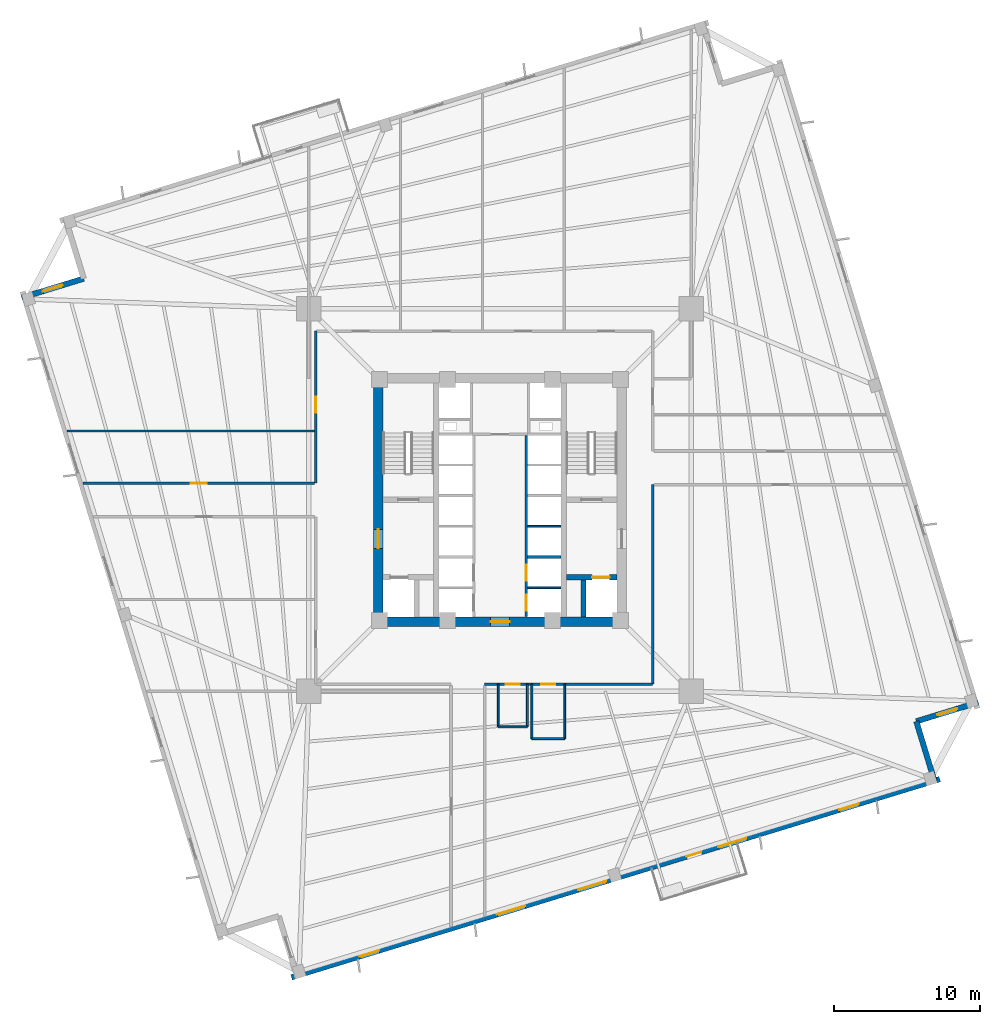
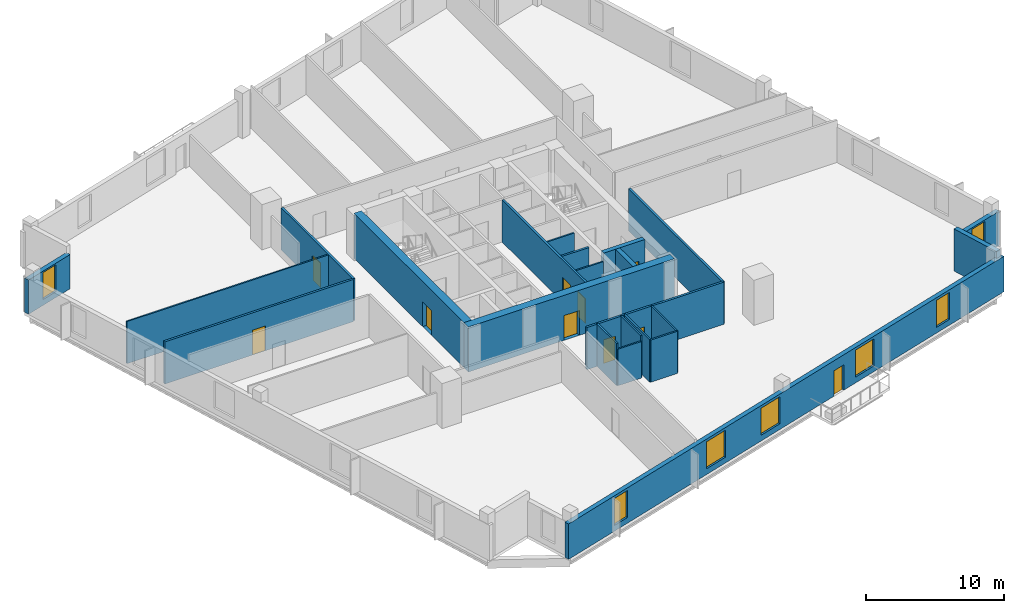
# One storey, part 3 of 8: 23 walls, 10 doors, 7 windows, 17 openings.
"""IFC4 building model written with IfcOpenShell, lengths in metres."""

from ifc_helpers import new_model, si_unit, direction, frame, frame_2d, origin, place, context, subcontext, project, spatial, rectangle, extrude, source, transform, mapped, material, layer, layer_set, type_object, element, fill, save


model = new_model("IFC4")

# Units and contexts
model_context = context("Model", 3, precision=1e-05, world=origin(), true_north=direction((0.0, 1.0)))
body_context = subcontext(model_context, "Body", "Model", "MODEL_VIEW")
ifc_project = project(units=[si_unit("LENGTHUNIT", "METRE"), si_unit("AREAUNIT", "SQUARE_METRE"), si_unit("VOLUMEUNIT", "CUBIC_METRE"), si_unit("PLANEANGLEUNIT", "RADIAN"), si_unit("MASSUNIT", "GRAM", prefix="KILO"), si_unit("THERMODYNAMICTEMPERATUREUNIT", "KELVIN")], contexts=[model_context])

# Site, building, storey
site_placement = place(None, origin())
site = spatial("IfcSite", under=ifc_project, at=site_placement, CompositionType="ELEMENT")
building_placement = place(site_placement, origin())
building = spatial("IfcBuilding", under=site, at=building_placement, Name="Kosmvard Interchange Tower", CompositionType="ELEMENT")
storey_placement = place(building_placement, frame((0.0, 0.0, 87.199951171875)))
storey = spatial("IfcBuildingStorey", under=building, at=storey_placement, Name="L20", CompositionType="ELEMENT", Elevation=87.199951171875)

# Wall, openings, doors
ifc_material_1 = material(Name="Fire-rated gypsum partition system")
ifc_layer_1 = layer(ifc_material_1, 0.179931640625, Name="Fire-rated gypsum partition system")
ifc_layer_set_1 = layer_set([ifc_layer_1], Name="Fire-rated gypsum partition system")
wall_type_1 = type_object("IfcWallType", Name="Corridor & Hotel Compartment Partition 180", PredefinedType="PARTITIONING", material=ifc_layer_set_1)
wall_1_placement = place(storey_placement, frame((1.7900390625, -7.97998046875, 0.0), z_axis=(0.0, 0.0, 1.0), x_axis=(0.0, 1.0, 0.0)))
wall_1 = element("IfcWall", 1, at=wall_1_placement, inside=storey, type_object=wall_type_1, Name="L20 East Lift Bank Front Wall", PredefinedType="PARTITIONING", context=body_context, shape_type="SweptSolid", body=[
    extrude(rectangle(XDim=12.3798828125, YDim=0.179931640625, at=frame_2d((6.18994140625, 0.0))), origin(), (0.0, 0.0, 1.0), 3.739990234375),
])
opening_1_placement = place(wall_1_placement, frame((0.39990234375, 0.0, 0.0)))
opening_1 = element("IfcOpeningElement", 2, at=opening_1_placement, cuts=wall_1, Name="Opening LD-PL-L3-L20", PredefinedType="OPENING", context=body_context, shape_type="SweptSolid", body=[
    extrude(rectangle(XDim=1.10009765625, YDim=2.199951171875, at=frame_2d((0.550048828125, 1.10009765625))), frame((0.0, 0.10009765625, 0.0), z_axis=(0.0, -1.0, 0.0), x_axis=(1.0, 0.0, 0.0)), (0.0, 0.0, 1.0), 0.199951171875),
])
opening_2_placement = place(wall_1_placement, frame((2.4599609375, 0.0, 0.0)))
opening_2 = element("IfcOpeningElement", 3, at=opening_2_placement, cuts=wall_1, Name="Opening LD-PL-L4-L20", PredefinedType="OPENING", context=body_context, shape_type="SweptSolid", body=[
    extrude(rectangle(XDim=1.10009765625, YDim=2.199951171875, at=frame_2d((0.550048828125, 1.10009765625))), frame((0.0, 0.10009765625, 0.0), z_axis=(0.0, -1.0, 0.0), x_axis=(1.0, 0.0, 0.0)), (0.0, 0.0, 1.0), 0.199951171875),
])
ifc_material_2 = material(Name="Brushed stainless steel sliding leaf", Category="steel")
door_type_1 = type_object("IfcDoorType", Name="Passenger Lift Sliding Landing Door 1100x2200 EI60", OperationType="DOUBLE_DOOR_SLIDING", PredefinedType="DOOR", material=ifc_material_2)
shared_shape_1 = source(origin(), body_context, "Body", "SweptSolid", [
    extrude(rectangle(XDim=1.10009765625, YDim=2.199951171875, at=frame_2d((0.550048828125, 1.10009765625))), frame((0.0, 0.02490234375, 0.0), z_axis=(0.0, -1.0, 0.0), x_axis=(1.0, 0.0, 0.0)), (0.0, 0.0, 1.0), 0.050048828125),
])
door_1_placement = place(opening_1_placement, origin())
door_1 = element("IfcDoor", 4, at=door_1_placement, inside=storey, type_object=door_type_1, Name="Lift PL-L3 Landing Door L20", OperationType="DOUBLE_DOOR_SLIDING", OverallHeight=2.199951171875, OverallWidth=1.10009765625, PredefinedType="DOOR", context=body_context, shape_type="MappedRepresentation", body=[
    mapped(shared_shape_1, transform((0.0, 0.0, 0.0), scale=1.0)),
])
fill(opening_1, door_1)
door_2_placement = place(opening_2_placement, origin())
door_2 = element("IfcDoor", 5, at=door_2_placement, inside=storey, type_object=door_type_1, Name="Lift PL-L4 Landing Door L20", OperationType="DOUBLE_DOOR_SLIDING", OverallHeight=2.199951171875, OverallWidth=1.10009765625, PredefinedType="DOOR", context=body_context, shape_type="MappedRepresentation", body=[
    mapped(shared_shape_1, transform((0.0, 0.0, 0.0), scale=1.0)),
])
fill(opening_2, door_2)

wall_2_placement = place(storey_placement, frame((-1.050048828125, -12.60009765625, 0.0), z_axis=(0.0, 0.0, 1.0), x_axis=(1.0, 0.0, 0.0)))
wall_2 = element("IfcWall", 6, at=wall_2_placement, inside=storey, type_object=wall_type_1, Name="L20 Corridor Wall CSE", PredefinedType="PARTITIONING", context=body_context, shape_type="SweptSolid", body=[
    extrude(rectangle(XDim=11.5, YDim=0.179931640625, at=frame_2d((5.75, 0.0))), origin(), (0.0, 0.0, 1.0), 3.739990234375),
])
opening_3_placement = place(wall_2_placement, frame((1.455078125, 0.0, 0.0)))
opening_3 = element("IfcOpeningElement", 7, at=opening_3_placement, cuts=wall_2, Name="Opening L20-D01", PredefinedType="OPENING", context=body_context, shape_type="SweptSolid", body=[
    extrude(rectangle(XDim=0.949951171875, YDim=2.10009765625, at=frame_2d((0.47509765625, 1.050048828125))), frame((0.0, 0.10009765625, 0.0), z_axis=(0.0, -1.0, 0.0), x_axis=(1.0, 0.0, 0.0)), (0.0, 0.0, 1.0), 0.199951171875),
])
opening_4_placement = place(wall_2_placement, frame((3.879150390625, 0.0, 0.0)))
opening_4 = element("IfcOpeningElement", 8, at=opening_4_placement, cuts=wall_2, Name="Opening L20-D02", PredefinedType="OPENING", context=body_context, shape_type="SweptSolid", body=[
    extrude(rectangle(XDim=0.949951171875, YDim=2.10009765625, at=frame_2d((0.47509765625, 1.050048828125))), frame((0.0, 0.10009765625, 0.0), z_axis=(0.0, -1.0, 0.0), x_axis=(1.0, 0.0, 0.0)), (0.0, 0.0, 1.0), 0.199951171875),
])
ifc_material_3 = material(Name="Laminated moisture-resistant timber", Category="wood")
door_type_2 = type_object("IfcDoorType", Name="Accessible Washroom Door 950x2100", OperationType="NOTDEFINED", PredefinedType="DOOR", material=ifc_material_3)
shared_shape_2 = source(origin(), body_context, "Body", "SweptSolid", [
    extrude(rectangle(XDim=0.949951171875, YDim=2.10009765625, at=frame_2d((0.47509765625, 1.050048828125))), frame((0.0, 0.02490234375, 0.0), z_axis=(0.0, -1.0, 0.0), x_axis=(1.0, 0.0, 0.0)), (0.0, 0.0, 1.0), 0.050048828125),
])
door_3_placement = place(opening_3_placement, frame((0.949951171875, 0.0, 0.0), z_axis=(0.0, 0.0, 1.0), x_axis=(-1.0, 0.0, 0.0)))
door_3 = element("IfcDoor", 9, at=door_3_placement, inside=storey, type_object=door_type_2, Name="L20 Accessible Toilet Door", OperationType="SINGLE_SWING_LEFT", OverallHeight=2.10009765625, OverallWidth=0.949951171875, PredefinedType="DOOR", context=body_context, shape_type="MappedRepresentation", body=[
    mapped(shared_shape_2, transform((0.0, 0.0, 0.0), scale=1.0)),
])
fill(opening_3, door_3)
door_4_placement = place(opening_4_placement, frame((0.949951171875, 0.0, 0.0), z_axis=(0.0, 0.0, 1.0), x_axis=(-1.0, 0.0, 0.0)))
door_4 = element("IfcDoor", 10, at=door_4_placement, inside=storey, type_object=door_type_2, Name="L20 Public Floor Washroom Door", OperationType="SINGLE_SWING_RIGHT", OverallHeight=2.10009765625, OverallWidth=0.949951171875, PredefinedType="DOOR", context=body_context, shape_type="MappedRepresentation", body=[
    mapped(shared_shape_2, transform((0.0, 0.0, 0.0), scale=1.0)),
])
fill(opening_4, door_4)

# Wall, opening, door
wall_3_placement = place(storey_placement, frame((-12.60009765625, 1.14990234375, 0.0), z_axis=(0.0, 0.0, 1.0), x_axis=(0.0, 1.0, 0.0)))
wall_3 = element("IfcWall", 11, at=wall_3_placement, inside=storey, type_object=wall_type_1, Name="L20 Corridor Wall CWN", PredefinedType="PARTITIONING", context=body_context, shape_type="SweptSolid", body=[
    extrude(rectangle(XDim=10.400146484375, YDim=0.179931640625, at=frame_2d((5.2001953125, 0.0))), origin(), (0.0, 0.0, 1.0), 3.739990234375),
])
opening_5_placement = place(wall_3_placement, frame((4.8125, 0.0, 0.0)))
opening_5 = element("IfcOpeningElement", 12, at=opening_5_placement, cuts=wall_3, Name="Opening L20-D04", PredefinedType="OPENING", context=body_context, shape_type="SweptSolid", body=[
    extrude(rectangle(XDim=1.10009765625, YDim=2.199951171875, at=frame_2d((0.550048828125, 1.10009765625))), frame((0.0, 0.10009765625, 0.0), z_axis=(0.0, -1.0, 0.0), x_axis=(1.0, 0.0, 0.0)), (0.0, 0.0, 1.0), 0.199951171875),
])
ifc_material_4 = material(Name="Engineered oak fire-rated timber", Category="wood")
door_type_3 = type_object("IfcDoorType", Name="Office Suite Entrance Door 1100x2200 FD30S", OperationType="NOTDEFINED", PredefinedType="DOOR", material=ifc_material_4)
door_5_placement = place(opening_5_placement, origin())
door_5 = element("IfcDoor", 13, at=door_5_placement, inside=storey, type_object=door_type_3, Name="L20 Corporate Office 2 Door", OperationType="SINGLE_SWING_RIGHT", OverallHeight=2.199951171875, OverallWidth=1.10009765625, PredefinedType="DOOR", context=body_context, shape_type="MappedRepresentation", body=[
    mapped(shared_shape_1, transform((0.0, 0.0, 0.0), scale=1.0)),
])
fill(opening_5, door_5)

# Wall
wall_4_placement = place(storey_placement, frame((10.449951171875, -12.60009765625, 0.0), z_axis=(0.0, 0.0, 1.0), x_axis=(0.0, 1.0, 0.0)))
element("IfcWall", 14, at=wall_4_placement, inside=storey, type_object=wall_type_1, Name="L20 Corridor Wall CES", PredefinedType="PARTITIONING", context=body_context, shape_type="SweptSolid", body=[
    extrude(rectangle(XDim=13.650146484375, YDim=0.179931640625, at=frame_2d((6.8251953125, 0.0))), origin(), (0.0, 0.0, 1.0), 3.739990234375),
])

# Wall, opening, door
wall_5_placement = place(storey_placement, frame((-28.517333984375, 1.14990234375, 0.0), z_axis=(0.0, 0.0, 1.0), x_axis=(1.0, 0.0, 0.0)))
wall_5 = element("IfcWall", 15, at=wall_5_placement, inside=storey, type_object=wall_type_1, Name="L20 Corridor Wall SWN", PredefinedType="PARTITIONING", context=body_context, shape_type="SweptSolid", body=[
    extrude(rectangle(XDim=15.8173828125, YDim=0.179931640625, at=frame_2d((7.90869140625, 0.0))), origin(), (0.0, 0.0, 1.0), 3.739990234375),
])
opening_6_placement = place(wall_5_placement, frame((7.358642578125, 0.0, 0.0)))
opening_6 = element("IfcOpeningElement", 16, at=opening_6_placement, cuts=wall_5, Name="Opening L20-D03", PredefinedType="OPENING", context=body_context, shape_type="SweptSolid", body=[
    extrude(rectangle(XDim=1.10009765625, YDim=2.199951171875, at=frame_2d((0.550048828125, 1.10009765625))), frame((0.0, 0.10009765625, 0.0), z_axis=(0.0, -1.0, 0.0), x_axis=(1.0, 0.0, 0.0)), (0.0, 0.0, 1.0), 0.199951171875),
])
door_6_placement = place(opening_6_placement, origin())
door_6 = element("IfcDoor", 17, at=door_6_placement, inside=storey, type_object=door_type_3, Name="L20 Corporate Office 1 Door", OperationType="SINGLE_SWING_LEFT", OverallHeight=2.199951171875, OverallWidth=1.10009765625, PredefinedType="DOOR", context=body_context, shape_type="MappedRepresentation", body=[
    mapped(shared_shape_1, transform((0.0, 0.0, 0.0), scale=1.0)),
])
fill(opening_6, door_6)

# Wall, openings, door, windows
ifc_material_5 = material(Name="Precast concrete C45/55", Category="concrete")
ifc_layer_2 = layer(ifc_material_5, 0.3798828125, Name="Precast concrete C45/55")
ifc_layer_set_2 = layer_set([ifc_layer_2], Name="Precast concrete C45/55")
wall_type_2 = type_object("IfcWallType", Name="Lower Tower Precast Pier Wall 380 C45/55", PredefinedType="STANDARD", material=ifc_layer_set_2)
wall_6_placement = place(storey_placement, frame((-14.26513671875, -32.65771484375, 0.0), z_axis=(0.0, 0.0, 1.0), x_axis=(0.956304320851, 0.292373127906, 0.0)))
wall_6 = element("IfcWall", 18, at=wall_6_placement, inside=storey, type_object=wall_type_2, Name="L20 Precast Facade Wall F-S", PredefinedType="STANDARD", context=body_context, shape_type="SweptSolid", body=[
    extrude(rectangle(XDim=46.380126953125, YDim=0.3798828125, at=frame_2d((23.18994140625, 0.0))), origin(), (0.0, 0.0, 1.0), 3.14013671875),
])
opening_7_placement = place(wall_6_placement, frame((28.264892578125, 0.0, 0.0)))
opening_7 = element("IfcOpeningElement", 19, at=opening_7_placement, cuts=wall_6, Name="Opening L20-BDW", PredefinedType="OPENING", context=body_context, shape_type="SweptSolid", body=[
    extrude(rectangle(XDim=1.050048828125, YDim=2.25, at=frame_2d((0.52490234375, 1.125))), frame((0.0, 0.199951171875, 0.0), z_axis=(0.0, -1.0, 0.0), x_axis=(1.0, 0.0, 0.0)), (0.0, 0.0, 1.0), 0.39990234375),
])
opening_8_placement = place(wall_6_placement, frame((4.865478515625, 0.0, 0.510009765625)))
opening_8 = element("IfcOpeningElement", 20, at=opening_8_placement, cuts=wall_6, Name="Opening L20-W01", PredefinedType="OPENING", context=body_context, shape_type="SweptSolid", body=[
    extrude(rectangle(XDim=1.39990234375, YDim=2.39990234375, at=frame_2d((0.699951171875, 1.199951171875))), frame((0.0, 0.199951171875, 0.0), z_axis=(0.0, -1.0, 0.0), x_axis=(1.0, 0.0, 0.0)), (0.0, 0.0, 1.0), 0.39990234375),
])
opening_9_placement = place(wall_6_placement, frame((14.7001953125, 0.0, 0.510009765625)))
opening_9 = element("IfcOpeningElement", 21, at=opening_9_placement, cuts=wall_6, Name="Opening L20-W02", PredefinedType="OPENING", context=body_context, shape_type="SweptSolid", body=[
    extrude(rectangle(XDim=2.0, YDim=2.39990234375, at=frame_2d((1.0, 1.199951171875))), frame((0.0, 0.199951171875, 0.0), z_axis=(0.0, -1.0, 0.0), x_axis=(1.0, 0.0, 0.0)), (0.0, 0.0, 1.0), 0.39990234375),
])
opening_10_placement = place(wall_6_placement, frame((20.512451171875, 0.0, 0.510009765625)))
opening_10 = element("IfcOpeningElement", 22, at=opening_10_placement, cuts=wall_6, Name="Opening L20-W03", PredefinedType="OPENING", context=body_context, shape_type="SweptSolid", body=[
    extrude(rectangle(XDim=2.0, YDim=2.39990234375, at=frame_2d((1.0, 1.199951171875))), frame((0.0, 0.199951171875, 0.0), z_axis=(0.0, -1.0, 0.0), x_axis=(1.0, 0.0, 0.0)), (0.0, 0.0, 1.0), 0.39990234375),
])
opening_11_placement = place(wall_6_placement, frame((30.538330078125, 0.0, 0.510009765625)))
opening_11 = element("IfcOpeningElement", 23, at=opening_11_placement, cuts=wall_6, Name="Opening L20-W04", PredefinedType="OPENING", context=body_context, shape_type="SweptSolid", body=[
    extrude(rectangle(XDim=2.0, YDim=2.39990234375, at=frame_2d((1.0, 1.199951171875))), frame((0.0, 0.199951171875, 0.0), z_axis=(0.0, -1.0, 0.0), x_axis=(1.0, 0.0, 0.0)), (0.0, 0.0, 1.0), 0.39990234375),
])
opening_12_placement = place(wall_6_placement, frame((39.186767578125, 0.0, 0.510009765625)))
opening_12 = element("IfcOpeningElement", 24, at=opening_12_placement, cuts=wall_6, Name="Opening L20-W05", PredefinedType="OPENING", context=body_context, shape_type="SweptSolid", body=[
    extrude(rectangle(XDim=1.39990234375, YDim=2.39990234375, at=frame_2d((0.699951171875, 1.199951171875))), frame((0.0, 0.199951171875, 0.0), z_axis=(0.0, -1.0, 0.0), x_axis=(1.0, 0.0, 0.0)), (0.0, 0.0, 1.0), 0.39990234375),
])
ifc_material_6 = material(Name="Anodised aluminium and safety glass", Category="aluminium")
door_type_4 = type_object("IfcDoorType", Name="Tree-Balcony Glazed Door 1050x2250", OperationType="NOTDEFINED", PredefinedType="DOOR", material=ifc_material_6)
shared_shape_3 = source(origin(), body_context, "Body", "SweptSolid", [
    extrude(rectangle(XDim=1.050048828125, YDim=2.25, at=frame_2d((0.52490234375, 1.125))), frame((0.0, 0.02490234375, 0.0), z_axis=(0.0, -1.0, 0.0), x_axis=(1.0, 0.0, 0.0)), (0.0, 0.0, 1.0), 0.050048828125),
])
door_7_placement = place(opening_7_placement, origin())
door_7 = element("IfcDoor", 25, at=door_7_placement, inside=storey, type_object=door_type_4, Name="L20 Tree-Balcony Door BAL-L20-SW", OperationType="SINGLE_SWING_LEFT", OverallHeight=2.25, OverallWidth=1.050048828125, PredefinedType="DOOR", context=body_context, shape_type="MappedRepresentation", body=[
    mapped(shared_shape_3, transform((0.0, 0.0, 0.0), scale=1.0)),
])
fill(opening_7, door_7)
ifc_material_7 = material(Name="Low-E solar-control double glazing", Category="glass")
window_type_1 = type_object("IfcWindowType", Name="Notched Corner Feature Window 1400x2400", PartitioningType="SINGLE_PANEL", PredefinedType="WINDOW", material=ifc_material_7)
shared_shape_4 = source(origin(), body_context, "Body", "SweptSolid", [
    extrude(rectangle(XDim=1.39990234375, YDim=2.39990234375, at=frame_2d((0.699951171875, 1.199951171875))), frame((0.0, 0.030029296875, 0.0), z_axis=(0.0, -1.0, 0.0), x_axis=(1.0, 0.0, 0.0)), (0.0, 0.0, 1.0), 0.06005859375),
])
window_1_placement = place(opening_8_placement, origin())
window_1 = element("IfcWindow", 26, at=window_1_placement, inside=storey, type_object=window_type_1, Name="L20 Facade Punched Window 01", OverallHeight=2.39990234375, OverallWidth=1.39990234375, PartitioningType="SINGLE_PANEL", PredefinedType="WINDOW", context=body_context, shape_type="MappedRepresentation", body=[
    mapped(shared_shape_4, transform((0.0, 0.0, 0.0), scale=1.0)),
])
fill(opening_8, window_1)
window_2_placement = place(opening_12_placement, origin())
window_2 = element("IfcWindow", 27, at=window_2_placement, inside=storey, type_object=window_type_1, Name="L20 Facade Punched Window 05", OverallHeight=2.39990234375, OverallWidth=1.39990234375, PartitioningType="SINGLE_PANEL", PredefinedType="WINDOW", context=body_context, shape_type="MappedRepresentation", body=[
    mapped(shared_shape_4, transform((0.0, 0.0, 0.0), scale=1.0)),
])
fill(opening_12, window_2)
window_type_2 = type_object("IfcWindowType", Name="Zone 2 Office Punched Window 2000x2400", PartitioningType="SINGLE_PANEL", PredefinedType="WINDOW", material=ifc_material_7)
shared_shape_5 = source(origin(), body_context, "Body", "SweptSolid", [
    extrude(rectangle(XDim=2.0, YDim=2.39990234375, at=frame_2d((1.0, 1.199951171875))), frame((0.0, 0.030029296875, 0.0), z_axis=(0.0, -1.0, 0.0), x_axis=(1.0, 0.0, 0.0)), (0.0, 0.0, 1.0), 0.06005859375),
])
window_3_placement = place(opening_9_placement, origin())
window_3 = element("IfcWindow", 28, at=window_3_placement, inside=storey, type_object=window_type_2, Name="L20 Facade Punched Window 02", OverallHeight=2.39990234375, OverallWidth=2.0, PartitioningType="SINGLE_PANEL", PredefinedType="WINDOW", context=body_context, shape_type="MappedRepresentation", body=[
    mapped(shared_shape_5, transform((0.0, 0.0, 0.0), scale=1.0)),
])
fill(opening_9, window_3)
window_4_placement = place(opening_10_placement, origin())
window_4 = element("IfcWindow", 29, at=window_4_placement, inside=storey, type_object=window_type_2, Name="L20 Facade Punched Window 03", OverallHeight=2.39990234375, OverallWidth=2.0, PartitioningType="SINGLE_PANEL", PredefinedType="WINDOW", context=body_context, shape_type="MappedRepresentation", body=[
    mapped(shared_shape_5, transform((0.0, 0.0, 0.0), scale=1.0)),
])
fill(opening_10, window_4)
window_5_placement = place(opening_11_placement, origin())
window_5 = element("IfcWindow", 30, at=window_5_placement, inside=storey, type_object=window_type_2, Name="L20 Facade Punched Window 04", OverallHeight=2.39990234375, OverallWidth=2.0, PartitioningType="SINGLE_PANEL", PredefinedType="WINDOW", context=body_context, shape_type="MappedRepresentation", body=[
    mapped(shared_shape_5, transform((0.0, 0.0, 0.0), scale=1.0)),
])
fill(opening_11, window_5)

# Wall
wall_7_placement = place(storey_placement, frame((29.724853515625, -19.20849609375, 0.0), z_axis=(0.0, 0.0, 1.0), x_axis=(-0.292345507338, 0.956312764915, 0.0)))
element("IfcWall", 31, at=wall_7_placement, inside=storey, type_object=wall_type_2, Name="L20 Precast Facade Wall N-SE1", PredefinedType="STANDARD", context=body_context, shape_type="SweptSolid", body=[
    extrude(rectangle(XDim=4.249755859375, YDim=0.3798828125, at=frame_2d((2.125, 0.0))), origin(), (0.0, 0.0, 1.0), 3.739990234375),
])

# Wall, opening, window
wall_8_placement = place(storey_placement, frame((28.482421875, -15.144287109375, 0.0), z_axis=(0.0, 0.0, 1.0), x_axis=(0.956304176051, 0.292373601522, 0.0)))
wall_8 = element("IfcWall", 32, at=wall_8_placement, inside=storey, type_object=wall_type_2, Name="L20 Precast Facade Wall N-SE2", PredefinedType="STANDARD", context=body_context, shape_type="SweptSolid", body=[
    extrude(rectangle(XDim=4.43994140625, YDim=0.3798828125, at=frame_2d((2.219970703125, 0.0))), origin(), (0.0, 0.0, 1.0), 3.0400390625),
])
opening_13_placement = place(wall_8_placement, frame((1.52001953125, 0.0, 0.510009765625)))
opening_13 = element("IfcOpeningElement", 33, at=opening_13_placement, cuts=wall_8, Name="Opening L20-W20", PredefinedType="OPENING", context=body_context, shape_type="SweptSolid", body=[
    extrude(rectangle(XDim=1.39990234375, YDim=2.39990234375, at=frame_2d((0.699951171875, 1.199951171875))), frame((0.0, 0.199951171875, 0.0), z_axis=(0.0, -1.0, 0.0), x_axis=(1.0, 0.0, 0.0)), (0.0, 0.0, 1.0), 0.39990234375),
])
window_6_placement = place(opening_13_placement, origin())
window_6 = element("IfcWindow", 34, at=window_6_placement, inside=storey, type_object=window_type_1, Name="L20 Corner Notch Window 20", OverallHeight=2.39990234375, OverallWidth=1.39990234375, PartitioningType="SINGLE_PANEL", PredefinedType="WINDOW", context=body_context, shape_type="MappedRepresentation", body=[
    mapped(shared_shape_4, transform((0.0, 0.0, 0.0), scale=1.0)),
])
fill(opening_13, window_6)

wall_9_placement = place(storey_placement, frame((-28.482421875, 15.144287109375, 0.0), z_axis=(0.0, 0.0, 1.0), x_axis=(-0.956304176051, -0.292373601522, 0.0)))
wall_9 = element("IfcWall", 35, at=wall_9_placement, inside=storey, type_object=wall_type_2, Name="L20 Precast Facade Wall N-NW2", PredefinedType="STANDARD", context=body_context, shape_type="SweptSolid", body=[
    extrude(rectangle(XDim=4.43994140625, YDim=0.3798828125, at=frame_2d((2.219970703125, 0.0))), origin(), (0.0, 0.0, 1.0), 3.0400390625),
])
opening_14_placement = place(wall_9_placement, frame((1.52001953125, 0.0, 0.510009765625)))
opening_14 = element("IfcOpeningElement", 36, at=opening_14_placement, cuts=wall_9, Name="Opening L20-W22", PredefinedType="OPENING", context=body_context, shape_type="SweptSolid", body=[
    extrude(rectangle(XDim=1.39990234375, YDim=2.39990234375, at=frame_2d((0.699951171875, 1.199951171875))), frame((0.0, 0.199951171875, 0.0), z_axis=(0.0, -1.0, 0.0), x_axis=(1.0, 0.0, 0.0)), (0.0, 0.0, 1.0), 0.39990234375),
])
window_7_placement = place(opening_14_placement, origin())
window_7 = element("IfcWindow", 37, at=window_7_placement, inside=storey, type_object=window_type_1, Name="L20 Corner Notch Window 22", OverallHeight=2.39990234375, OverallWidth=1.39990234375, PartitioningType="SINGLE_PANEL", PredefinedType="WINDOW", context=body_context, shape_type="MappedRepresentation", body=[
    mapped(shared_shape_4, transform((0.0, 0.0, 0.0), scale=1.0)),
])
fill(opening_14, window_7)

# Wall, opening, door
ifc_material_8 = material(Name="Concrete C70/85", Category="concrete")
ifc_layer_3 = layer(ifc_material_8, 0.64990234375, Name="Concrete C70/85")
ifc_layer_set_3 = layer_set([ifc_layer_3], Name="Concrete C70/85")
wall_type_3 = type_object("IfcWallType", Name="Mid Core Shear Wall 650 C70/85", PredefinedType="SHEAR", material=ifc_layer_set_3)
wall_10_placement = place(storey_placement, frame((-8.64990234375, -8.324951171875, 0.0), z_axis=(0.0, 0.0, 1.0), x_axis=(1.0, 0.0, 0.0)))
wall_10 = element("IfcWall", 38, at=wall_10_placement, inside=storey, type_object=wall_type_3, Name="L20 Core Shear Wall CW-S", PredefinedType="SHEAR", context=body_context, shape_type="SweptSolid", body=[
    extrude(rectangle(XDim=17.2998046875, YDim=0.64990234375, at=frame_2d((8.64990234375, 0.0))), origin(), (0.0, 0.0, 1.0), 4.0),
])
opening_15_placement = place(wall_10_placement, frame((8.0, 0.0, 0.0)))
opening_15 = element("IfcOpeningElement", 39, at=opening_15_placement, cuts=wall_10, Name="Opening L20-LD0", PredefinedType="OPENING", context=body_context, shape_type="SweptSolid", body=[
    extrude(rectangle(XDim=1.300048828125, YDim=2.199951171875, at=frame_2d((0.64990234375, 1.10009765625))), frame((0.0, 0.3349609375, 0.0), z_axis=(0.0, -1.0, 0.0), x_axis=(1.0, 0.0, 0.0)), (0.0, 0.0, 1.0), 0.669921875),
])
ifc_material_9 = material(Name="Painted fire-rated steel leaf", Category="steel")
door_type_5 = type_object("IfcDoorType", Name="Firefighting Lobby Door 1300x2200 EI60", OperationType="NOTDEFINED", PredefinedType="DOOR", material=ifc_material_9)
shared_shape_6 = source(origin(), body_context, "Body", "SweptSolid", [
    extrude(rectangle(XDim=1.300048828125, YDim=2.199951171875, at=frame_2d((0.64990234375, 1.10009765625))), frame((0.0, 0.02490234375, 0.0), z_axis=(0.0, -1.0, 0.0), x_axis=(1.0, 0.0, 0.0)), (0.0, 0.0, 1.0), 0.050048828125),
])
door_8_placement = place(opening_15_placement, frame((1.300048828125, 0.0, 0.0), z_axis=(0.0, 0.0, 1.0), x_axis=(-1.0, 0.0, 0.0)))
door_8 = element("IfcDoor", 40, at=door_8_placement, inside=storey, type_object=door_type_5, Name="L20 Passenger Lift Lobby South Door", OperationType="SINGLE_SWING_RIGHT", OverallHeight=2.199951171875, OverallWidth=1.300048828125, PredefinedType="DOOR", context=body_context, shape_type="MappedRepresentation", body=[
    mapped(shared_shape_6, transform((0.0, 0.0, 0.0), scale=1.0)),
])
fill(opening_15, door_8)

wall_11_placement = place(storey_placement, frame((-8.324951171875, -8.0, 0.0), z_axis=(0.0, 0.0, 1.0), x_axis=(0.0, 1.0, 0.0)))
wall_11 = element("IfcWall", 41, at=wall_11_placement, inside=storey, type_object=wall_type_3, Name="L20 Core Shear Wall CW-W", PredefinedType="SHEAR", context=body_context, shape_type="SweptSolid", body=[
    extrude(rectangle(XDim=16.0, YDim=0.64990234375, at=frame_2d((8.0, 0.0))), origin(), (0.0, 0.0, 1.0), 4.0),
])
opening_16_placement = place(wall_11_placement, frame((4.68994140625, 0.0, 0.0)))
opening_16 = element("IfcOpeningElement", 42, at=opening_16_placement, cuts=wall_11, Name="Opening L20-FD1", PredefinedType="OPENING", context=body_context, shape_type="SweptSolid", body=[
    extrude(rectangle(XDim=1.300048828125, YDim=2.199951171875, at=frame_2d((0.64990234375, 1.10009765625))), frame((0.0, 0.3349609375, 0.0), z_axis=(0.0, -1.0, 0.0), x_axis=(1.0, 0.0, 0.0)), (0.0, 0.0, 1.0), 0.669921875),
])
door_9_placement = place(opening_16_placement, frame((1.300048828125, 0.0, 0.0), z_axis=(0.0, 0.0, 1.0), x_axis=(-1.0, 0.0, 0.0)))
door_9 = element("IfcDoor", 43, at=door_9_placement, inside=storey, type_object=door_type_5, Name="L20 Firefighting Lobby West Door", OperationType="SINGLE_SWING_LEFT", OverallHeight=2.199951171875, OverallWidth=1.300048828125, PredefinedType="DOOR", context=body_context, shape_type="MappedRepresentation", body=[
    mapped(shared_shape_6, transform((0.0, 0.0, 0.0), scale=1.0)),
])
fill(opening_16, door_9)

# Walls
ifc_material_10 = material(Name="Gypsum board partition system")
ifc_layer_4 = layer(ifc_material_10, 0.1201171875, Name="Gypsum board partition system")
ifc_layer_set_4 = layer_set([ifc_layer_4], Name="Gypsum board partition system")
wall_type_4 = type_object("IfcWallType", Name="Office Cellular Partition 120", PredefinedType="PARTITIONING", material=ifc_layer_set_4)
wall_12_placement = place(storey_placement, frame((-29.6103515625, 4.72509765625, 0.0), z_axis=(0.0, 0.0, 1.0), x_axis=(1.0, 0.0, 0.0)))
element("IfcWall", 44, at=wall_12_placement, inside=storey, type_object=wall_type_4, Name="L20 Room Partition 08.1", PredefinedType="PARTITIONING", context=body_context, shape_type="SweptSolid", body=[
    extrude(rectangle(XDim=16.915283203125, YDim=0.1201171875, at=frame_2d((8.45751953125, 0.0))), origin(), (0.0, 0.0, 1.0), 3.739990234375),
])
ifc_material_11 = material(Name="Concrete blockwork masonry", Category="masonry")
ifc_layer_5 = layer(ifc_material_11, 0.179931640625, Name="Concrete blockwork masonry")
ifc_layer_set_5 = layer_set([ifc_layer_5], Name="Concrete blockwork masonry")
wall_type_5 = type_object("IfcWallType", Name="Riser & Lift Bank Divider Wall 180", PredefinedType="PARTITIONING", material=ifc_layer_set_5)
wall_13_placement = place(storey_placement, frame((1.889892578125, -3.89990234375, 0.0), z_axis=(0.0, 0.0, 1.0), x_axis=(1.0, 0.0, 0.0)))
element("IfcWall", 45, at=wall_13_placement, inside=storey, type_object=wall_type_5, Name="L20 East Bank Divider BD1", PredefinedType="PARTITIONING", context=body_context, shape_type="SweptSolid", body=[
    extrude(rectangle(XDim=2.280029296875, YDim=0.179931640625, at=frame_2d((1.14013671875, 0.0))), origin(), (0.0, 0.0, 1.0), 3.739990234375),
])
ifc_material_12 = material(Name="Fire-rated gypsum shaftwall system")
ifc_layer_6 = layer(ifc_material_12, 0.1201171875, Name="Fire-rated gypsum shaftwall system")
ifc_layer_set_6 = layer_set([ifc_layer_6], Name="Fire-rated gypsum shaftwall system")
wall_type_6 = type_object("IfcWallType", Name="Shaft & Riser Fire Partition 120 EI60", PredefinedType="PARTITIONING", material=ifc_layer_set_6)
for number, where, z_axis, x_axis, name in (
    (46, (1.89990234375, -6.0, 0.0), (0.0, 0.0, 1.0), (1.0, 0.0, 0.0), "L20 Shaft Divider PL-L3"),
    (47, (1.89990234375, -1.800048828125, 0.0), (0.0, 0.0, 1.0), (1.0, 0.0, 0.0), "L20 Shaft Divider PL-M3"),
):
    element("IfcWall", number, at=place(storey_placement, frame(where, z_axis=z_axis, x_axis=x_axis)), inside=storey, type_object=wall_type_6, Name=name, PredefinedType="PARTITIONING", context=body_context, shape_type="SweptSolid", body=[
        extrude(rectangle(XDim=2.260009765625, YDim=0.1201171875, at=frame_2d((1.1298828125, 0.0))), origin(), (0.0, 0.0, 1.0), 3.739990234375),
    ])

# Wall, opening, door
ifc_material_13 = material(Name="Concrete C60/75", Category="concrete")
ifc_layer_7 = layer(ifc_material_13, 0.360107421875, Name="Concrete C60/75")
ifc_layer_set_7 = layer_set([ifc_layer_7], Name="Concrete C60/75")
wall_type_7 = type_object("IfcWallType", Name="Stair & Lift Shaft Shear Wall 360 C60/75", PredefinedType="SHEAR", material=ifc_layer_set_7)
wall_14_placement = place(storey_placement, frame((4.5400390625, -5.280029296875, 0.0), z_axis=(0.0, 0.0, 1.0), x_axis=(1.0, 0.0, 0.0)))
wall_14 = element("IfcWall", 48, at=wall_14_placement, inside=storey, type_object=wall_type_7, Name="L20 Shaft Shear Wall SW-FF2", PredefinedType="SHEAR", context=body_context, shape_type="SweptSolid", body=[
    extrude(rectangle(XDim=3.4599609375, YDim=0.360107421875, at=frame_2d((1.72998046875, 0.0))), origin(), (0.0, 0.0, 1.0), 4.0),
])
opening_17_placement = place(wall_14_placement, frame((1.760009765625, 0.0, 0.0)))
opening_17 = element("IfcOpeningElement", 49, at=opening_17_placement, cuts=wall_14, Name="Opening LD-FF-2-L20", PredefinedType="OPENING", context=body_context, shape_type="SweptSolid", body=[
    extrude(rectangle(XDim=1.199951171875, YDim=2.25, at=frame_2d((0.60009765625, 1.125))), frame((0.0, 0.18994140625, 0.0), z_axis=(0.0, -1.0, 0.0), x_axis=(1.0, 0.0, 0.0)), (0.0, 0.0, 1.0), 0.380126953125),
])
door_type_6 = type_object("IfcDoorType", Name="Firefighting Lift Sliding Landing Door 1200x2250 EI120", OperationType="DOUBLE_DOOR_SLIDING", PredefinedType="DOOR", material=ifc_material_2)
shared_shape_7 = source(origin(), body_context, "Body", "SweptSolid", [
    extrude(rectangle(XDim=1.199951171875, YDim=2.25, at=frame_2d((0.60009765625, 1.125))), frame((0.0, 0.02490234375, 0.0), z_axis=(0.0, -1.0, 0.0), x_axis=(1.0, 0.0, 0.0)), (0.0, 0.0, 1.0), 0.050048828125),
])
door_10_placement = place(opening_17_placement, origin())
door_10 = element("IfcDoor", 50, at=door_10_placement, inside=storey, type_object=door_type_6, Name="Lift FF-2 Landing Door L20", OperationType="DOUBLE_DOOR_SLIDING", OverallHeight=2.25, OverallWidth=1.199951171875, PredefinedType="DOOR", context=body_context, shape_type="MappedRepresentation", body=[
    mapped(shared_shape_7, transform((0.0, 0.0, 0.0), scale=1.0)),
])
fill(opening_17, door_10)

# Walls
wall_15_placement = place(storey_placement, frame((5.7099609375, -8.0, 0.0), z_axis=(0.0, 0.0, 1.0), x_axis=(0.0, 1.0, 0.0)))
element("IfcWall", 51, at=wall_15_placement, inside=storey, type_object=wall_type_7, Name="L20 Shaft Shear Wall SW-SM2", PredefinedType="SHEAR", context=body_context, shape_type="SweptSolid", body=[
    extrude(rectangle(XDim=2.5400390625, YDim=0.360107421875, at=frame_2d((1.27001953125, 0.0))), origin(), (0.0, 0.0, 1.0), 4.0),
])
ifc_material_14 = material(Name="Moisture-resistant gypsum partition")
ifc_layer_8 = layer(ifc_material_14, 0.135009765625, Name="Moisture-resistant gypsum partition")
ifc_layer_set_8 = layer_set([ifc_layer_8], Name="Moisture-resistant gypsum partition")
wall_type_8 = type_object("IfcWallType", Name="Wet Room Moisture-Resistant Partition 135", PredefinedType="PARTITIONING", material=ifc_layer_set_8)
wall_16_placement = place(storey_placement, frame((-0.1201171875, -15.52001953125, 0.0), z_axis=(0.0, 0.0, 1.0), x_axis=(1.0, 0.0, 0.0)))
element("IfcWall", 52, at=wall_16_placement, inside=storey, type_object=wall_type_8, Name="L20 Washroom Partition AWC1-S", PredefinedType="PARTITIONING", context=body_context, shape_type="SweptSolid", body=[
    extrude(rectangle(XDim=2.0, YDim=0.135009765625, at=frame_2d((1.0, 0.0))), origin(), (0.0, 0.0, 1.0), 3.239990234375),
])
for number, where, z_axis, x_axis, name in (
    (53, (1.8798828125, -15.52001953125, 0.0), (0.0, 0.0, 1.0), (0.0, 1.0, 0.0), "L20 Washroom Partition AWC1-E"),
    (54, (-0.1201171875, -15.52001953125, 0.0), (0.0, 0.0, 1.0), (0.0, 1.0, 0.0), "L20 Washroom Partition AWC1-W"),
):
    element("IfcWall", number, at=place(storey_placement, frame(where, z_axis=z_axis, x_axis=x_axis)), inside=storey, type_object=wall_type_8, Name=name, PredefinedType="PARTITIONING", context=body_context, shape_type="SweptSolid", body=[
        extrude(rectangle(XDim=2.89990234375, YDim=0.135009765625, at=frame_2d((1.449951171875, 0.0))), origin(), (0.0, 0.0, 1.0), 3.739990234375),
    ])
wall_17_placement = place(storey_placement, frame((2.17919921875, -16.320068359375, 0.0), z_axis=(0.0, 0.0, 1.0), x_axis=(1.0, 0.0, 0.0)))
element("IfcWall", 55, at=wall_17_placement, inside=storey, type_object=wall_type_8, Name="L20 Washroom Partition WC1-S", PredefinedType="PARTITIONING", context=body_context, shape_type="SweptSolid", body=[
    extrude(rectangle(XDim=2.25, YDim=0.135009765625, at=frame_2d((1.125, 0.0))), origin(), (0.0, 0.0, 1.0), 3.739990234375),
])
for number, where, z_axis, x_axis, name in (
    (56, (4.42919921875, -16.320068359375, 0.0), (0.0, 0.0, 1.0), (0.0, 1.0, 0.0), "L20 Washroom Partition WC1-E"),
    (57, (2.17919921875, -16.320068359375, 0.0), (0.0, 0.0, 1.0), (0.0, 1.0, 0.0), "L20 Washroom Partition WC1-W"),
):
    element("IfcWall", number, at=place(storey_placement, frame(where, z_axis=z_axis, x_axis=x_axis)), inside=storey, type_object=wall_type_8, Name=name, PredefinedType="PARTITIONING", context=body_context, shape_type="SweptSolid", body=[
        extrude(rectangle(XDim=3.699951171875, YDim=0.135009765625, at=frame_2d((1.85009765625, 0.0))), origin(), (0.0, 0.0, 1.0), 3.739990234375),
    ])

save(model, "model.ifc")
